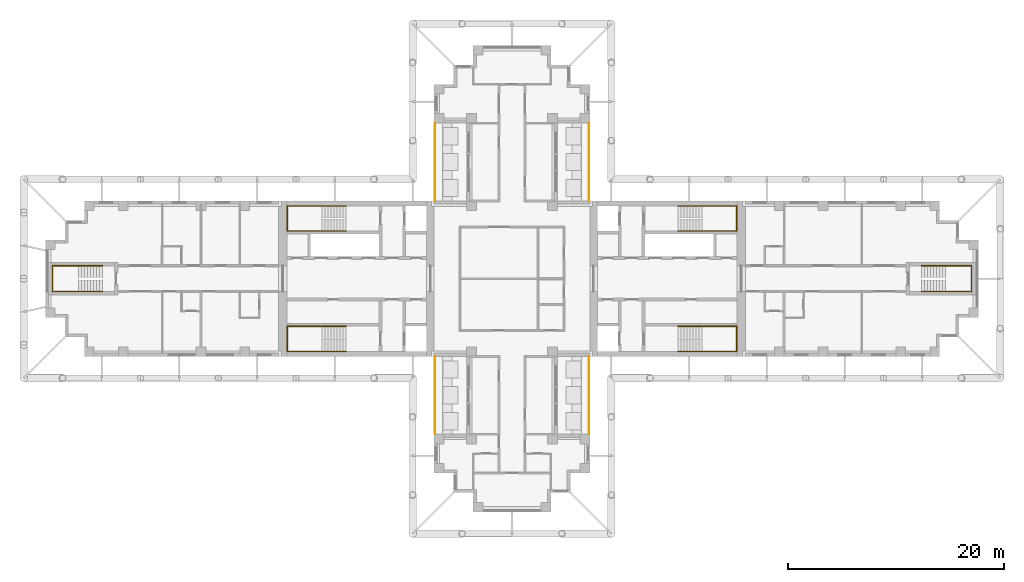
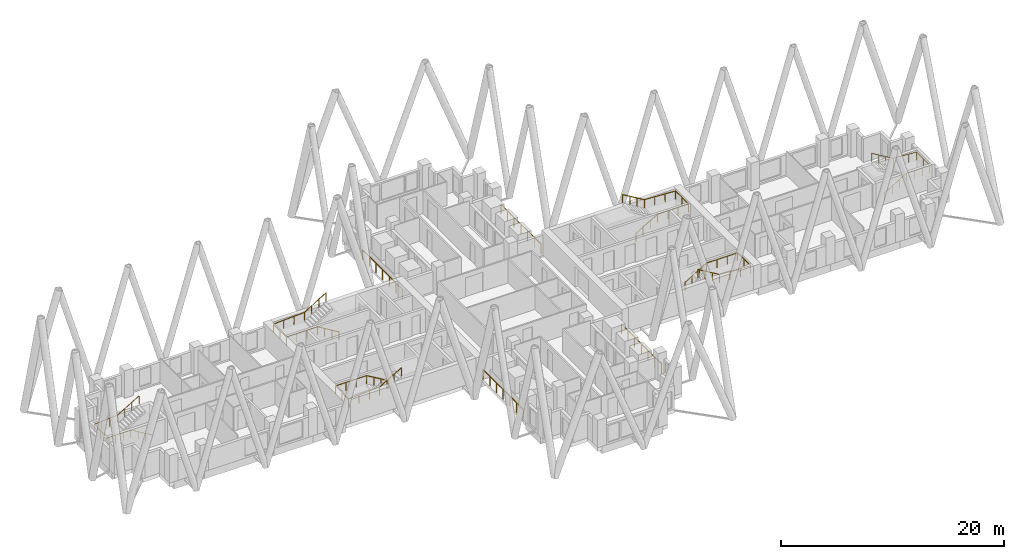
# One storey, part 11 of 12: 10 railings.
"""IFC4 building model written with IfcOpenShell, lengths in metres."""

import ifcopenshell
import ifcopenshell.guid

model = None  # the IFC model being written
_history = None  # IfcOwnerHistory: only IFC2X3 demands one
_inside = {}  # id of a spatial element -> (the spatial element, [elements in it])
_under = {}  # id of a project, library or spatial element -> (it, [spatial elements below it])
_declared = {}  # id of a project -> (the project, [libraries it declares])
_typed = {}  # id of a type object -> (the type object, [elements of that type])
_made_of = {}  # id of a material, layer set ... -> (it, [elements and type objects made of it])


def new_model(schema):
    """Start an empty IFC model of exactly this schema.

    Asked for "IFC4X3", IfcOpenShell would pick the latest addendum, in which some entities
    have other attributes; the version numbers below select the first issue.
    IFC2X3 requires an IfcOwnerHistory on every rooted entity: one is made here for all.
    """
    global model, _history
    if schema == "IFC4X3":
        model = ifcopenshell.file(schema_version=(4, 3, 0, 0))
    else:
        model = ifcopenshell.file(schema=schema)
    _inside.clear()
    _under.clear()
    _declared.clear()
    _typed.clear()
    _made_of.clear()
    _history = None
    if model.schema == "IFC2X3":
        org = make("IfcOrganization", Name="unknown")
        user = make(
            "IfcPersonAndOrganization",
            ThePerson=make("IfcPerson", FamilyName="unknown"),
            TheOrganization=org,
        )
        app = make(
            "IfcApplication",
            ApplicationDeveloper=org,
            Version="unknown",
            ApplicationFullName="unknown",
            ApplicationIdentifier="unknown",
        )
        _history = make(
            "IfcOwnerHistory",
            OwningUser=user,
            OwningApplication=app,
            ChangeAction="ADDED",
            CreationDate=0,
        )
    return model


def make(cls, **values):
    """One entity of the class cls with the attributes given. An attribute that is None is left unset."""
    return model.create_entity(
        cls, **{name: value for name, value in values.items() if value is not None}
    )


def rooted(cls, **values):
    """An entity with a GlobalId (a new one), such as an element, a storey or a relation."""
    return make(cls, GlobalId=ifcopenshell.guid.new(), OwnerHistory=_history, **values)


def si_unit(unit_type, name, prefix=None):
    """IfcSIUnit, for example si_unit("LENGTHUNIT", "METRE", prefix="MILLI")."""
    return make("IfcSIUnit", UnitType=unit_type, Prefix=prefix, Name=name)


def assignment(units):
    """IfcUnitAssignment: the units of a project."""
    return None if units is None else make("IfcUnitAssignment", Units=units)


def point(xyz):
    """IfcCartesianPoint."""
    return None if xyz is None else make("IfcCartesianPoint", Coordinates=xyz)


def direction(xyz):
    """IfcDirection."""
    return None if xyz is None else make("IfcDirection", DirectionRatios=xyz)


def frame(location, z_axis=None, x_axis=None):
    """IfcAxis2Placement3D, a coordinate frame: its origin and axes. An axis left out is left unset."""
    return make(
        "IfcAxis2Placement3D",
        Location=point(location),
        Axis=direction(z_axis),
        RefDirection=direction(x_axis),
    )


def frame_2d(location, x_axis=None):
    """IfcAxis2Placement2D, a coordinate frame in the plane: its origin and x axis."""
    return make(
        "IfcAxis2Placement2D", Location=point(location), RefDirection=direction(x_axis)
    )


def origin():
    """The frame at (0, 0, 0) with its axes left unset."""
    return frame((0.0, 0.0, 0.0))


def origin_2d():
    """The frame at (0, 0) in the plane with its x axis left unset."""
    return frame_2d((0.0, 0.0))


def place(relative_to, where):
    """IfcLocalPlacement: puts the frame where relative to a parent placement (None: the world)."""
    return make(
        "IfcLocalPlacement", PlacementRelTo=relative_to, RelativePlacement=where
    )


def context(
    kind, dimensions, precision=None, world=None, true_north=None, identifier=None
):
    """IfcGeometricRepresentationContext, for example the 3D "Model" context."""
    return make(
        "IfcGeometricRepresentationContext",
        ContextIdentifier=identifier,
        ContextType=kind,
        CoordinateSpaceDimension=dimensions,
        Precision=precision,
        WorldCoordinateSystem=world,
        TrueNorth=true_north,
    )


def subcontext(parent, identifier, kind, view, scale=None):
    """IfcGeometricRepresentationSubContext, for example "Body" below "Model"."""
    return make(
        "IfcGeometricRepresentationSubContext",
        ContextIdentifier=identifier,
        ContextType=kind,
        ParentContext=parent,
        TargetScale=scale,
        TargetView=view,
    )


def project(units=None, contexts=None):
    """IfcProject with its units and contexts."""
    return rooted(
        "IfcProject",
        Name="project",
        RepresentationContexts=contexts,
        UnitsInContext=assignment(units),
    )


def spatial(cls, under=None, at=None, **own):
    """A site, building, storey or space (cls), placed at a placement, below another one or the project."""
    s = rooted(cls, ObjectPlacement=at, **own)
    if under is not None:
        _under.setdefault(under.id(), (under, []))[1].append(s)
    return s


def profile(cls, at=None, kind="AREA", **sizes):
    """A parametric profile (cls). Its sizes go by their IFC names, for example OverallWidth=200.0."""
    return make(cls, ProfileType=kind, Position=at, **sizes)


def circle(**sizes):
    """IfcCircleProfileDef."""
    return profile("IfcCircleProfileDef", **sizes)


def extrude(swept, where, along, depth):
    """IfcExtrudedAreaSolid: the profile swept, set in the frame where, extruded along a direction by depth."""
    return make(
        "IfcExtrudedAreaSolid",
        SweptArea=swept,
        Position=where,
        ExtrudedDirection=direction(along),
        Depth=depth,
    )


def shape(context_of_items, identifier, shape_type, items):
    """IfcShapeRepresentation: the items that make up one representation, for example the "Body"."""
    return make(
        "IfcShapeRepresentation",
        ContextOfItems=context_of_items,
        RepresentationIdentifier=identifier,
        RepresentationType=shape_type,
        Items=items,
    )


def material(Name=None, Category=None):
    """IfcMaterial."""
    return make("IfcMaterial", Name=Name, Category=Category)


def made_of(thing, what):
    """Note that an element or type object is made of a material, layer set ...; save() writes the relation."""
    if what is not None:
        _made_of.setdefault(what.id(), (what, []))[1].append(thing)
    return thing


def type_object(cls, material=None, **own):
    """A type object (cls), such as IfcWallType, which elements share."""
    return made_of(rooted(cls, **own), material)


def element(
    cls,
    number,
    at=None,
    inside=None,
    cuts=None,
    type_object=None,
    material=None,
    context=None,
    identifier="Body",
    shape_type=None,
    held_by="IfcProductDefinitionShape",
    body=None,
    shapes=None,
    **own,
):
    """One element of the class cls, such as IfcWall. Its Tag is "e" and its number.

    at: its placement. inside: the storey or other place that contains it. cuts: it is an
    opening in that element (IfcRelVoidsElement). A single representation is given by context,
    identifier, shape_type and body (its items); several are given by shapes. held_by: the class
    of the entity that holds the representations. save() writes the other relations.
    """
    e = rooted(cls, Tag="e%d" % number, ObjectPlacement=at, **own)
    if body is not None:
        shapes = [shape(context, identifier, shape_type, body)]
    if shapes is not None:
        e.Representation = make(held_by, Representations=shapes)
    if inside is not None:
        _inside.setdefault(inside.id(), (inside, []))[1].append(e)
    if cuts is not None:
        rooted(
            "IfcRelVoidsElement", RelatingBuildingElement=cuts, RelatedOpeningElement=e
        )
    if type_object is not None:
        _typed.setdefault(type_object.id(), (type_object, []))[1].append(e)
    return made_of(e, material)


def aggregate(whole, parts):
    """IfcRelAggregates: a whole, such as a stair, and the parts it consists of."""
    return rooted("IfcRelAggregates", RelatingObject=whole, RelatedObjects=parts)


def save(model, path):
    """Write the relations noted so far, then the file.

    IfcRelAggregates (storeys below a building ...), IfcRelContainedInSpatialStructure (elements
    in a storey), IfcRelDefinesByType, IfcRelAssociatesMaterial and IfcRelDeclares: one each for
    every whole, place, type object, material and project.
    """
    for whole, parts in _under.values():
        aggregate(whole, parts)
    for where, things in _inside.values():
        rooted(
            "IfcRelContainedInSpatialStructure",
            RelatedElements=things,
            RelatingStructure=where,
        )
    for kind, things in _typed.values():
        rooted("IfcRelDefinesByType", RelatedObjects=things, RelatingType=kind)
    for what, things in _made_of.values():
        rooted("IfcRelAssociatesMaterial", RelatedObjects=things, RelatingMaterial=what)
    for by, libraries in _declared.values():
        rooted("IfcRelDeclares", RelatingContext=by, RelatedDefinitions=libraries)
    model.write(path)


model = new_model("IFC4")

# Units and contexts
model_context = context("Model", 3, precision=1e-05, world=origin(), true_north=direction((0.0, 1.0)))
body_context = subcontext(model_context, "Body", "Model", "MODEL_VIEW")
ifc_project = project(units=[si_unit("LENGTHUNIT", "METRE"), si_unit("AREAUNIT", "SQUARE_METRE"), si_unit("VOLUMEUNIT", "CUBIC_METRE"), si_unit("PLANEANGLEUNIT", "RADIAN"), si_unit("MASSUNIT", "GRAM", prefix="KILO")], contexts=[model_context])

# Site, building, storey
site_placement = place(None, origin())
site = spatial("IfcSite", under=ifc_project, at=site_placement, CompositionType="ELEMENT")
building_placement = place(site_placement, origin())
building = spatial("IfcBuilding", under=site, at=building_placement, Name="Fustian Cross Tower", CompositionType="ELEMENT")
storey_placement = place(building_placement, frame((0.0, 0.0, 129.300048828125)))
storey = spatial("IfcBuildingStorey", under=building, at=storey_placement, Name="L40", CompositionType="ELEMENT", Elevation=129.300048828125)

# Railings
ifc_material_1 = material(Name="Stainless steel and glass", Category="steel")
railing_type_1 = type_object("IfcRailingType", Name="GR1 BALCONY GUARD 1100", PredefinedType="GUARDRAIL", material=ifc_material_1)
for number, where, name in (
    (1, (7.14990234375, 7.199951171875, 0.0), "Balcony guard"),
    (2, (-7.14990234375, 7.199951171875, 0.0), "Balcony guard"),
    (3, (7.14990234375, -14.39990234375, 0.0), "Balcony guard"),
    (4, (-7.14990234375, -14.39990234375, 0.0), "Balcony guard"),
):
    element("IfcRailing", number, at=place(storey_placement, frame(where)), inside=storey, type_object=railing_type_1, Name=name, PredefinedType="GUARDRAIL", context=body_context, shape_type="SweptSolid", body=[
        extrude(circle(Radius=0.02392578125, at=origin_2d()), frame((0.0, 0.0, 1.076171875), z_axis=(0.0, 1.0, 0.0), x_axis=(-1.0, 0.0, 0.0)), (0.0, 0.0, 1.0), 7.199951171875),
        extrude(circle(Radius=0.02099609375, at=origin_2d()), origin(), (0.0, 0.0, 1.0), 1.052001953125),
        extrude(circle(Radius=0.02099609375, at=origin_2d()), frame((0.0, 1.199951171875, 0.0)), (0.0, 0.0, 1.0), 1.052001953125),
        extrude(circle(Radius=0.02099609375, at=origin_2d()), frame((0.0, 2.39990234375, 0.0)), (0.0, 0.0, 1.0), 1.052001953125),
        extrude(circle(Radius=0.02099609375, at=origin_2d()), frame((0.0, 3.60009765625, 0.0)), (0.0, 0.0, 1.0), 1.052001953125),
        extrude(circle(Radius=0.02099609375, at=origin_2d()), frame((0.0, 4.800048828125, 0.0)), (0.0, 0.0, 1.0), 1.052001953125),
        extrude(circle(Radius=0.02099609375, at=origin_2d()), frame((0.0, 6.0, 0.0)), (0.0, 0.0, 1.0), 1.052001953125),
        extrude(circle(Radius=0.02099609375, at=origin_2d()), frame((0.0, 7.199951171875, 0.0)), (0.0, 0.0, 1.0), 1.052001953125),
    ])
ifc_material_2 = material(Name="Stainless steel", Category="steel")
railing_type_2 = type_object("IfcRailingType", Name="STAIR HANDRAIL", PredefinedType="HANDRAIL", material=ifc_material_2)
railing_1_placement = place(storey_placement, frame((15.35009765625, 4.39990234375, 0.16650390625)))
element("IfcRailing", 5, at=railing_1_placement, inside=storey, type_object=railing_type_2, Name="Stair ST1 handrail 1", PredefinedType="HANDRAIL", context=body_context, shape_type="SweptSolid", body=[
    extrude(circle(Radius=0.02490234375, at=origin_2d()), frame((0.0, 0.0, 0.875), z_axis=(0.859264461869, 0.0, 0.511531606619), x_axis=(0.0, 1.0, 0.0)), (0.0, 0.0, 1.0), 2.60693359375),
    extrude(circle(Radius=0.02490234375, at=origin_2d()), frame((2.239990234375, 0.0, 2.20849609375), z_axis=(1.0, 0.0, 0.0), x_axis=(0.0, 1.0, 0.0)), (0.0, 0.0, 1.0), 3.219970703125),
    extrude(circle(Radius=0.02490234375, at=origin_2d()), frame((5.4599609375, 0.0, 2.20849609375), z_axis=(0.0, 1.0, 0.0), x_axis=(-1.0, 0.0, 0.0)), (0.0, 0.0, 1.0), 2.35009765625),
    extrude(circle(Radius=0.02490234375, at=origin_2d()), frame((5.4599609375, 2.35009765625, 2.20849609375), z_axis=(-0.998665725648, 0.0, 0.051640763128), x_axis=(0.0, -1.0, 0.0)), (0.0, 0.0, 1.0), 3.224365234375),
    extrude(circle(Radius=0.02490234375, at=origin_2d()), frame((2.239990234375, 2.35009765625, 2.375), z_axis=(-0.859264461869, 0.0, 0.511531606619), x_axis=(0.0, -1.0, 0.0)), (0.0, 0.0, 1.0), 2.60693359375),
    extrude(circle(Radius=0.02001953125, at=origin_2d()), origin(), (0.0, 0.0, 1.0), 0.849853515625),
    extrude(circle(Radius=0.02001953125, at=origin_2d()), frame((0.74658203125, 0.0, 0.444580078125)), (0.0, 0.0, 1.0), 0.849853515625),
    extrude(circle(Radius=0.02001953125, at=origin_2d()), frame((1.493408203125, 0.0, 0.888916015625)), (0.0, 0.0, 1.0), 0.849853515625),
    extrude(circle(Radius=0.02001953125, at=origin_2d()), frame((2.239990234375, 0.0, 1.33349609375)), (0.0, 0.0, 1.0), 0.849853515625),
    extrude(circle(Radius=0.02001953125, at=origin_2d()), frame((3.313232421875, 0.0, 1.33349609375)), (0.0, 0.0, 1.0), 0.849853515625),
    extrude(circle(Radius=0.02001953125, at=origin_2d()), frame((4.38671875, 0.0, 1.33349609375)), (0.0, 0.0, 1.0), 0.849853515625),
    extrude(circle(Radius=0.02001953125, at=origin_2d()), frame((5.4599609375, 0.0, 1.33349609375)), (0.0, 0.0, 1.0), 0.849853515625),
    extrude(circle(Radius=0.02001953125, at=origin_2d()), frame((5.4599609375, 1.175048828125, 1.33349609375)), (0.0, 0.0, 1.0), 0.849853515625),
    extrude(circle(Radius=0.02001953125, at=origin_2d()), frame((5.4599609375, 2.35009765625, 1.33349609375)), (0.0, 0.0, 1.0), 0.849853515625),
    extrude(circle(Radius=0.02001953125, at=origin_2d()), frame((4.38671875, 2.35009765625, 1.388916015625)), (0.0, 0.0, 1.0), 0.849853515625),
    extrude(circle(Radius=0.02001953125, at=origin_2d()), frame((3.313232421875, 2.35009765625, 1.444580078125)), (0.0, 0.0, 1.0), 0.849853515625),
    extrude(circle(Radius=0.02001953125, at=origin_2d()), frame((2.239990234375, 2.35009765625, 1.5)), (0.0, 0.0, 1.0), 0.849853515625),
    extrude(circle(Radius=0.02001953125, at=origin_2d()), frame((1.493408203125, 2.35009765625, 1.944580078125)), (0.0, 0.0, 1.0), 0.849853515625),
    extrude(circle(Radius=0.02001953125, at=origin_2d()), frame((0.74658203125, 2.35009765625, 2.388916015625)), (0.0, 0.0, 1.0), 0.849853515625),
    extrude(circle(Radius=0.02001953125, at=origin_2d()), frame((0.0, 2.35009765625, 2.83349609375)), (0.0, 0.0, 1.0), 0.849853515625),
])
railing_2_placement = place(storey_placement, frame((15.35009765625, -4.39990234375, 0.16650390625)))
element("IfcRailing", 6, at=railing_2_placement, inside=storey, type_object=railing_type_2, Name="Stair ST2 handrail 1", PredefinedType="HANDRAIL", context=body_context, shape_type="SweptSolid", body=[
    extrude(circle(Radius=0.02490234375, at=origin_2d()), frame((0.0, 0.0, 0.875), z_axis=(0.859264461869, 0.0, 0.511531606619), x_axis=(0.0, 1.0, 0.0)), (0.0, 0.0, 1.0), 2.60693359375),
    extrude(circle(Radius=0.02490234375, at=origin_2d()), frame((2.239990234375, 0.0, 2.20849609375), z_axis=(1.0, 0.0, 0.0), x_axis=(0.0, 1.0, 0.0)), (0.0, 0.0, 1.0), 3.219970703125),
    extrude(circle(Radius=0.02490234375, at=origin_2d()), frame((5.4599609375, 0.0, 2.20849609375), z_axis=(0.0, -1.0, 0.0), x_axis=(1.0, 0.0, 0.0)), (0.0, 0.0, 1.0), 2.35009765625),
    extrude(circle(Radius=0.02490234375, at=origin_2d()), frame((5.4599609375, -2.35009765625, 2.20849609375), z_axis=(-0.998665725648, 0.0, 0.051640763128), x_axis=(0.0, -1.0, 0.0)), (0.0, 0.0, 1.0), 3.224365234375),
    extrude(circle(Radius=0.02490234375, at=origin_2d()), frame((2.239990234375, -2.35009765625, 2.375), z_axis=(-0.859264461869, 0.0, 0.511531606619), x_axis=(0.0, -1.0, 0.0)), (0.0, 0.0, 1.0), 2.60693359375),
    extrude(circle(Radius=0.02001953125, at=origin_2d()), origin(), (0.0, 0.0, 1.0), 0.849853515625),
    extrude(circle(Radius=0.02001953125, at=origin_2d()), frame((0.74658203125, 0.0, 0.444580078125)), (0.0, 0.0, 1.0), 0.849853515625),
    extrude(circle(Radius=0.02001953125, at=origin_2d()), frame((1.493408203125, 0.0, 0.888916015625)), (0.0, 0.0, 1.0), 0.849853515625),
    extrude(circle(Radius=0.02001953125, at=origin_2d()), frame((2.239990234375, 0.0, 1.33349609375)), (0.0, 0.0, 1.0), 0.849853515625),
    extrude(circle(Radius=0.02001953125, at=origin_2d()), frame((3.313232421875, 0.0, 1.33349609375)), (0.0, 0.0, 1.0), 0.849853515625),
    extrude(circle(Radius=0.02001953125, at=origin_2d()), frame((4.38671875, 0.0, 1.33349609375)), (0.0, 0.0, 1.0), 0.849853515625),
    extrude(circle(Radius=0.02001953125, at=origin_2d()), frame((5.4599609375, 0.0, 1.33349609375)), (0.0, 0.0, 1.0), 0.849853515625),
    extrude(circle(Radius=0.02001953125, at=origin_2d()), frame((5.4599609375, -1.175048828125, 1.33349609375)), (0.0, 0.0, 1.0), 0.849853515625),
    extrude(circle(Radius=0.02001953125, at=origin_2d()), frame((5.4599609375, -2.35009765625, 1.33349609375)), (0.0, 0.0, 1.0), 0.849853515625),
    extrude(circle(Radius=0.02001953125, at=origin_2d()), frame((4.38671875, -2.35009765625, 1.388916015625)), (0.0, 0.0, 1.0), 0.849853515625),
    extrude(circle(Radius=0.02001953125, at=origin_2d()), frame((3.313232421875, -2.35009765625, 1.444580078125)), (0.0, 0.0, 1.0), 0.849853515625),
    extrude(circle(Radius=0.02001953125, at=origin_2d()), frame((2.239990234375, -2.35009765625, 1.5)), (0.0, 0.0, 1.0), 0.849853515625),
    extrude(circle(Radius=0.02001953125, at=origin_2d()), frame((1.493408203125, -2.35009765625, 1.944580078125)), (0.0, 0.0, 1.0), 0.849853515625),
    extrude(circle(Radius=0.02001953125, at=origin_2d()), frame((0.74658203125, -2.35009765625, 2.388916015625)), (0.0, 0.0, 1.0), 0.849853515625),
    extrude(circle(Radius=0.02001953125, at=origin_2d()), frame((0.0, -2.35009765625, 2.83349609375)), (0.0, 0.0, 1.0), 0.849853515625),
])
railing_3_placement = place(storey_placement, frame((-15.35009765625, 4.39990234375, 0.16650390625)))
element("IfcRailing", 7, at=railing_3_placement, inside=storey, type_object=railing_type_2, Name="Stair ST3 handrail 1", PredefinedType="HANDRAIL", context=body_context, shape_type="SweptSolid", body=[
    extrude(circle(Radius=0.02490234375, at=origin_2d()), frame((0.0, 0.0, 0.875), z_axis=(-0.859264461869, 0.0, 0.511531606619), x_axis=(0.0, -1.0, 0.0)), (0.0, 0.0, 1.0), 2.60693359375),
    extrude(circle(Radius=0.02490234375, at=origin_2d()), frame((-2.239990234375, 0.0, 2.20849609375), z_axis=(-1.0, 0.0, 0.0), x_axis=(0.0, -1.0, 0.0)), (0.0, 0.0, 1.0), 3.219970703125),
    extrude(circle(Radius=0.02490234375, at=origin_2d()), frame((-5.4599609375, 0.0, 2.20849609375), z_axis=(0.0, 1.0, 0.0), x_axis=(-1.0, 0.0, 0.0)), (0.0, 0.0, 1.0), 2.35009765625),
    extrude(circle(Radius=0.02490234375, at=origin_2d()), frame((-5.4599609375, 2.35009765625, 2.20849609375), z_axis=(0.998665725648, 0.0, 0.051640763128), x_axis=(0.0, 1.0, 0.0)), (0.0, 0.0, 1.0), 3.224365234375),
    extrude(circle(Radius=0.02490234375, at=origin_2d()), frame((-2.239990234375, 2.35009765625, 2.375), z_axis=(0.859264461869, 0.0, 0.511531606619), x_axis=(0.0, 1.0, 0.0)), (0.0, 0.0, 1.0), 2.60693359375),
    extrude(circle(Radius=0.02001953125, at=origin_2d()), origin(), (0.0, 0.0, 1.0), 0.849853515625),
    extrude(circle(Radius=0.02001953125, at=origin_2d()), frame((-0.74658203125, 0.0, 0.444580078125)), (0.0, 0.0, 1.0), 0.849853515625),
    extrude(circle(Radius=0.02001953125, at=origin_2d()), frame((-1.493408203125, 0.0, 0.888916015625)), (0.0, 0.0, 1.0), 0.849853515625),
    extrude(circle(Radius=0.02001953125, at=origin_2d()), frame((-2.239990234375, 0.0, 1.33349609375)), (0.0, 0.0, 1.0), 0.849853515625),
    extrude(circle(Radius=0.02001953125, at=origin_2d()), frame((-3.313232421875, 0.0, 1.33349609375)), (0.0, 0.0, 1.0), 0.849853515625),
    extrude(circle(Radius=0.02001953125, at=origin_2d()), frame((-4.38671875, 0.0, 1.33349609375)), (0.0, 0.0, 1.0), 0.849853515625),
    extrude(circle(Radius=0.02001953125, at=origin_2d()), frame((-5.4599609375, 0.0, 1.33349609375)), (0.0, 0.0, 1.0), 0.849853515625),
    extrude(circle(Radius=0.02001953125, at=origin_2d()), frame((-5.4599609375, 1.175048828125, 1.33349609375)), (0.0, 0.0, 1.0), 0.849853515625),
    extrude(circle(Radius=0.02001953125, at=origin_2d()), frame((-5.4599609375, 2.35009765625, 1.33349609375)), (0.0, 0.0, 1.0), 0.849853515625),
    extrude(circle(Radius=0.02001953125, at=origin_2d()), frame((-4.38671875, 2.35009765625, 1.388916015625)), (0.0, 0.0, 1.0), 0.849853515625),
    extrude(circle(Radius=0.02001953125, at=origin_2d()), frame((-3.313232421875, 2.35009765625, 1.444580078125)), (0.0, 0.0, 1.0), 0.849853515625),
    extrude(circle(Radius=0.02001953125, at=origin_2d()), frame((-2.239990234375, 2.35009765625, 1.5)), (0.0, 0.0, 1.0), 0.849853515625),
    extrude(circle(Radius=0.02001953125, at=origin_2d()), frame((-1.493408203125, 2.35009765625, 1.944580078125)), (0.0, 0.0, 1.0), 0.849853515625),
    extrude(circle(Radius=0.02001953125, at=origin_2d()), frame((-0.74658203125, 2.35009765625, 2.388916015625)), (0.0, 0.0, 1.0), 0.849853515625),
    extrude(circle(Radius=0.02001953125, at=origin_2d()), frame((0.0, 2.35009765625, 2.83349609375)), (0.0, 0.0, 1.0), 0.849853515625),
])
railing_4_placement = place(storey_placement, frame((-15.35009765625, -4.39990234375, 0.16650390625)))
element("IfcRailing", 8, at=railing_4_placement, inside=storey, type_object=railing_type_2, Name="Stair ST4 handrail 1", PredefinedType="HANDRAIL", context=body_context, shape_type="SweptSolid", body=[
    extrude(circle(Radius=0.02490234375, at=origin_2d()), frame((0.0, 0.0, 0.875), z_axis=(-0.859264461869, 0.0, 0.511531606619), x_axis=(0.0, -1.0, 0.0)), (0.0, 0.0, 1.0), 2.60693359375),
    extrude(circle(Radius=0.02490234375, at=origin_2d()), frame((-2.239990234375, 0.0, 2.20849609375), z_axis=(-1.0, 0.0, 0.0), x_axis=(0.0, -1.0, 0.0)), (0.0, 0.0, 1.0), 3.219970703125),
    extrude(circle(Radius=0.02490234375, at=origin_2d()), frame((-5.4599609375, 0.0, 2.20849609375), z_axis=(0.0, -1.0, 0.0), x_axis=(1.0, 0.0, 0.0)), (0.0, 0.0, 1.0), 2.35009765625),
    extrude(circle(Radius=0.02490234375, at=origin_2d()), frame((-5.4599609375, -2.35009765625, 2.20849609375), z_axis=(0.998665725648, 0.0, 0.051640763128), x_axis=(0.0, 1.0, 0.0)), (0.0, 0.0, 1.0), 3.224365234375),
    extrude(circle(Radius=0.02490234375, at=origin_2d()), frame((-2.239990234375, -2.35009765625, 2.375), z_axis=(0.859264461869, 0.0, 0.511531606619), x_axis=(0.0, 1.0, 0.0)), (0.0, 0.0, 1.0), 2.60693359375),
    extrude(circle(Radius=0.02001953125, at=origin_2d()), origin(), (0.0, 0.0, 1.0), 0.849853515625),
    extrude(circle(Radius=0.02001953125, at=origin_2d()), frame((-0.74658203125, 0.0, 0.444580078125)), (0.0, 0.0, 1.0), 0.849853515625),
    extrude(circle(Radius=0.02001953125, at=origin_2d()), frame((-1.493408203125, 0.0, 0.888916015625)), (0.0, 0.0, 1.0), 0.849853515625),
    extrude(circle(Radius=0.02001953125, at=origin_2d()), frame((-2.239990234375, 0.0, 1.33349609375)), (0.0, 0.0, 1.0), 0.849853515625),
    extrude(circle(Radius=0.02001953125, at=origin_2d()), frame((-3.313232421875, 0.0, 1.33349609375)), (0.0, 0.0, 1.0), 0.849853515625),
    extrude(circle(Radius=0.02001953125, at=origin_2d()), frame((-4.38671875, 0.0, 1.33349609375)), (0.0, 0.0, 1.0), 0.849853515625),
    extrude(circle(Radius=0.02001953125, at=origin_2d()), frame((-5.4599609375, 0.0, 1.33349609375)), (0.0, 0.0, 1.0), 0.849853515625),
    extrude(circle(Radius=0.02001953125, at=origin_2d()), frame((-5.4599609375, -1.175048828125, 1.33349609375)), (0.0, 0.0, 1.0), 0.849853515625),
    extrude(circle(Radius=0.02001953125, at=origin_2d()), frame((-5.4599609375, -2.35009765625, 1.33349609375)), (0.0, 0.0, 1.0), 0.849853515625),
    extrude(circle(Radius=0.02001953125, at=origin_2d()), frame((-4.38671875, -2.35009765625, 1.388916015625)), (0.0, 0.0, 1.0), 0.849853515625),
    extrude(circle(Radius=0.02001953125, at=origin_2d()), frame((-3.313232421875, -2.35009765625, 1.444580078125)), (0.0, 0.0, 1.0), 0.849853515625),
    extrude(circle(Radius=0.02001953125, at=origin_2d()), frame((-2.239990234375, -2.35009765625, 1.5)), (0.0, 0.0, 1.0), 0.849853515625),
    extrude(circle(Radius=0.02001953125, at=origin_2d()), frame((-1.493408203125, -2.35009765625, 1.944580078125)), (0.0, 0.0, 1.0), 0.849853515625),
    extrude(circle(Radius=0.02001953125, at=origin_2d()), frame((-0.74658203125, -2.35009765625, 2.388916015625)), (0.0, 0.0, 1.0), 0.849853515625),
    extrude(circle(Radius=0.02001953125, at=origin_2d()), frame((0.0, -2.35009765625, 2.83349609375)), (0.0, 0.0, 1.0), 0.849853515625),
])
railing_5_placement = place(storey_placement, frame((37.89990234375, -1.199951171875, 0.16650390625)))
element("IfcRailing", 9, at=railing_5_placement, inside=storey, type_object=railing_type_2, Name="Stair ST8 handrail 1", PredefinedType="HANDRAIL", context=body_context, shape_type="SweptSolid", body=[
    extrude(circle(Radius=0.02490234375, at=origin_2d()), frame((0.0, 0.0, 0.875), z_axis=(0.859264461869, 0.0, 0.511531606619), x_axis=(0.0, 1.0, 0.0)), (0.0, 0.0, 1.0), 2.60693359375),
    extrude(circle(Radius=0.02490234375, at=origin_2d()), frame((2.239990234375, 0.0, 2.20849609375), z_axis=(1.0, 0.0, 0.0), x_axis=(0.0, 1.0, 0.0)), (0.0, 0.0, 1.0), 2.420166015625),
    extrude(circle(Radius=0.02490234375, at=origin_2d()), frame((4.66015625, 0.0, 2.20849609375), z_axis=(0.0, 1.0, 0.0), x_axis=(-1.0, 0.0, 0.0)), (0.0, 0.0, 1.0), 2.39990234375),
    extrude(circle(Radius=0.02490234375, at=origin_2d()), frame((4.66015625, 2.39990234375, 2.20849609375), z_axis=(-0.997641748275, 0.0, 0.068636303069), x_axis=(0.0, -1.0, 0.0)), (0.0, 0.0, 1.0), 2.42578125),
    extrude(circle(Radius=0.02490234375, at=origin_2d()), frame((2.239990234375, 2.39990234375, 2.375), z_axis=(-0.859264461869, 0.0, 0.511531606619), x_axis=(0.0, -1.0, 0.0)), (0.0, 0.0, 1.0), 2.60693359375),
    extrude(circle(Radius=0.02001953125, at=origin_2d()), origin(), (0.0, 0.0, 1.0), 0.849853515625),
    extrude(circle(Radius=0.02001953125, at=origin_2d()), frame((0.74658203125, 0.0, 0.444580078125)), (0.0, 0.0, 1.0), 0.849853515625),
    extrude(circle(Radius=0.02001953125, at=origin_2d()), frame((1.493408203125, 0.0, 0.888916015625)), (0.0, 0.0, 1.0), 0.849853515625),
    extrude(circle(Radius=0.02001953125, at=origin_2d()), frame((2.239990234375, 0.0, 1.33349609375)), (0.0, 0.0, 1.0), 0.849853515625),
    extrude(circle(Radius=0.02001953125, at=origin_2d()), frame((3.046630859375, 0.0, 1.33349609375)), (0.0, 0.0, 1.0), 0.849853515625),
    extrude(circle(Radius=0.02001953125, at=origin_2d()), frame((3.853515625, 0.0, 1.33349609375)), (0.0, 0.0, 1.0), 0.849853515625),
    extrude(circle(Radius=0.02001953125, at=origin_2d()), frame((4.66015625, 0.0, 1.33349609375)), (0.0, 0.0, 1.0), 0.849853515625),
    extrude(circle(Radius=0.02001953125, at=origin_2d()), frame((4.66015625, 1.199951171875, 1.33349609375)), (0.0, 0.0, 1.0), 0.849853515625),
    extrude(circle(Radius=0.02001953125, at=origin_2d()), frame((4.66015625, 2.39990234375, 1.33349609375)), (0.0, 0.0, 1.0), 0.849853515625),
    extrude(circle(Radius=0.02001953125, at=origin_2d()), frame((3.853515625, 2.39990234375, 1.388916015625)), (0.0, 0.0, 1.0), 0.849853515625),
    extrude(circle(Radius=0.02001953125, at=origin_2d()), frame((3.046630859375, 2.39990234375, 1.444580078125)), (0.0, 0.0, 1.0), 0.849853515625),
    extrude(circle(Radius=0.02001953125, at=origin_2d()), frame((2.239990234375, 2.39990234375, 1.5)), (0.0, 0.0, 1.0), 0.849853515625),
    extrude(circle(Radius=0.02001953125, at=origin_2d()), frame((1.493408203125, 2.39990234375, 1.944580078125)), (0.0, 0.0, 1.0), 0.849853515625),
    extrude(circle(Radius=0.02001953125, at=origin_2d()), frame((0.74658203125, 2.39990234375, 2.388916015625)), (0.0, 0.0, 1.0), 0.849853515625),
    extrude(circle(Radius=0.02001953125, at=origin_2d()), frame((0.0, 2.39990234375, 2.83349609375)), (0.0, 0.0, 1.0), 0.849853515625),
])
railing_6_placement = place(storey_placement, frame((-37.89990234375, -1.199951171875, 0.16650390625)))
element("IfcRailing", 10, at=railing_6_placement, inside=storey, type_object=railing_type_2, Name="Stair ST9 handrail 1", PredefinedType="HANDRAIL", context=body_context, shape_type="SweptSolid", body=[
    extrude(circle(Radius=0.02490234375, at=origin_2d()), frame((0.0, 0.0, 0.875), z_axis=(-0.859264461869, 0.0, 0.511531606619), x_axis=(0.0, -1.0, 0.0)), (0.0, 0.0, 1.0), 2.60693359375),
    extrude(circle(Radius=0.02490234375, at=origin_2d()), frame((-2.239990234375, 0.0, 2.20849609375), z_axis=(-1.0, 0.0, 0.0), x_axis=(0.0, -1.0, 0.0)), (0.0, 0.0, 1.0), 2.420166015625),
    extrude(circle(Radius=0.02490234375, at=origin_2d()), frame((-4.66015625, 0.0, 2.20849609375), z_axis=(0.0, 1.0, 0.0), x_axis=(-1.0, 0.0, 0.0)), (0.0, 0.0, 1.0), 2.39990234375),
    extrude(circle(Radius=0.02490234375, at=origin_2d()), frame((-4.66015625, 2.39990234375, 2.20849609375), z_axis=(0.997641748275, 0.0, 0.068636303069), x_axis=(0.0, 1.0, 0.0)), (0.0, 0.0, 1.0), 2.42578125),
    extrude(circle(Radius=0.02490234375, at=origin_2d()), frame((-2.239990234375, 2.39990234375, 2.375), z_axis=(0.859264461869, 0.0, 0.511531606619), x_axis=(0.0, 1.0, 0.0)), (0.0, 0.0, 1.0), 2.60693359375),
    extrude(circle(Radius=0.02001953125, at=origin_2d()), origin(), (0.0, 0.0, 1.0), 0.849853515625),
    extrude(circle(Radius=0.02001953125, at=origin_2d()), frame((-0.74658203125, 0.0, 0.444580078125)), (0.0, 0.0, 1.0), 0.849853515625),
    extrude(circle(Radius=0.02001953125, at=origin_2d()), frame((-1.493408203125, 0.0, 0.888916015625)), (0.0, 0.0, 1.0), 0.849853515625),
    extrude(circle(Radius=0.02001953125, at=origin_2d()), frame((-2.239990234375, 0.0, 1.33349609375)), (0.0, 0.0, 1.0), 0.849853515625),
    extrude(circle(Radius=0.02001953125, at=origin_2d()), frame((-3.046630859375, 0.0, 1.33349609375)), (0.0, 0.0, 1.0), 0.849853515625),
    extrude(circle(Radius=0.02001953125, at=origin_2d()), frame((-3.853515625, 0.0, 1.33349609375)), (0.0, 0.0, 1.0), 0.849853515625),
    extrude(circle(Radius=0.02001953125, at=origin_2d()), frame((-4.66015625, 0.0, 1.33349609375)), (0.0, 0.0, 1.0), 0.849853515625),
    extrude(circle(Radius=0.02001953125, at=origin_2d()), frame((-4.66015625, 1.199951171875, 1.33349609375)), (0.0, 0.0, 1.0), 0.849853515625),
    extrude(circle(Radius=0.02001953125, at=origin_2d()), frame((-4.66015625, 2.39990234375, 1.33349609375)), (0.0, 0.0, 1.0), 0.849853515625),
    extrude(circle(Radius=0.02001953125, at=origin_2d()), frame((-3.853515625, 2.39990234375, 1.388916015625)), (0.0, 0.0, 1.0), 0.849853515625),
    extrude(circle(Radius=0.02001953125, at=origin_2d()), frame((-3.046630859375, 2.39990234375, 1.444580078125)), (0.0, 0.0, 1.0), 0.849853515625),
    extrude(circle(Radius=0.02001953125, at=origin_2d()), frame((-2.239990234375, 2.39990234375, 1.5)), (0.0, 0.0, 1.0), 0.849853515625),
    extrude(circle(Radius=0.02001953125, at=origin_2d()), frame((-1.493408203125, 2.39990234375, 1.944580078125)), (0.0, 0.0, 1.0), 0.849853515625),
    extrude(circle(Radius=0.02001953125, at=origin_2d()), frame((-0.74658203125, 2.39990234375, 2.388916015625)), (0.0, 0.0, 1.0), 0.849853515625),
    extrude(circle(Radius=0.02001953125, at=origin_2d()), frame((0.0, 2.39990234375, 2.83349609375)), (0.0, 0.0, 1.0), 0.849853515625),
])

save(model, "model.ifc")
